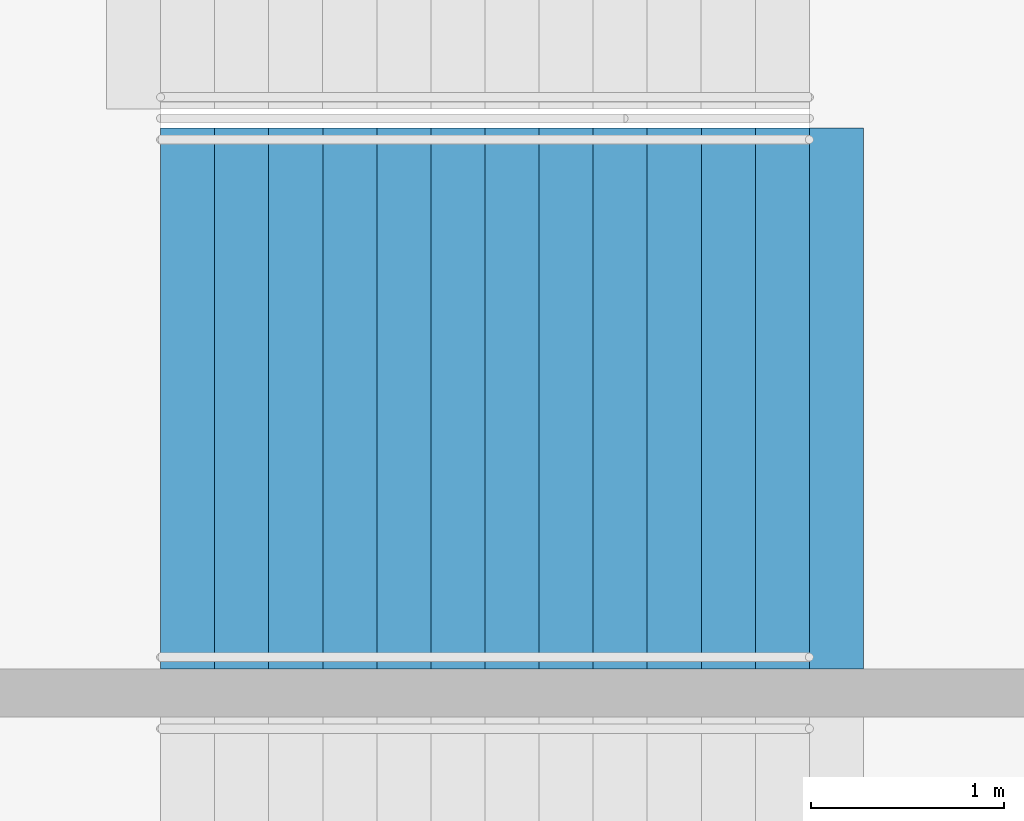
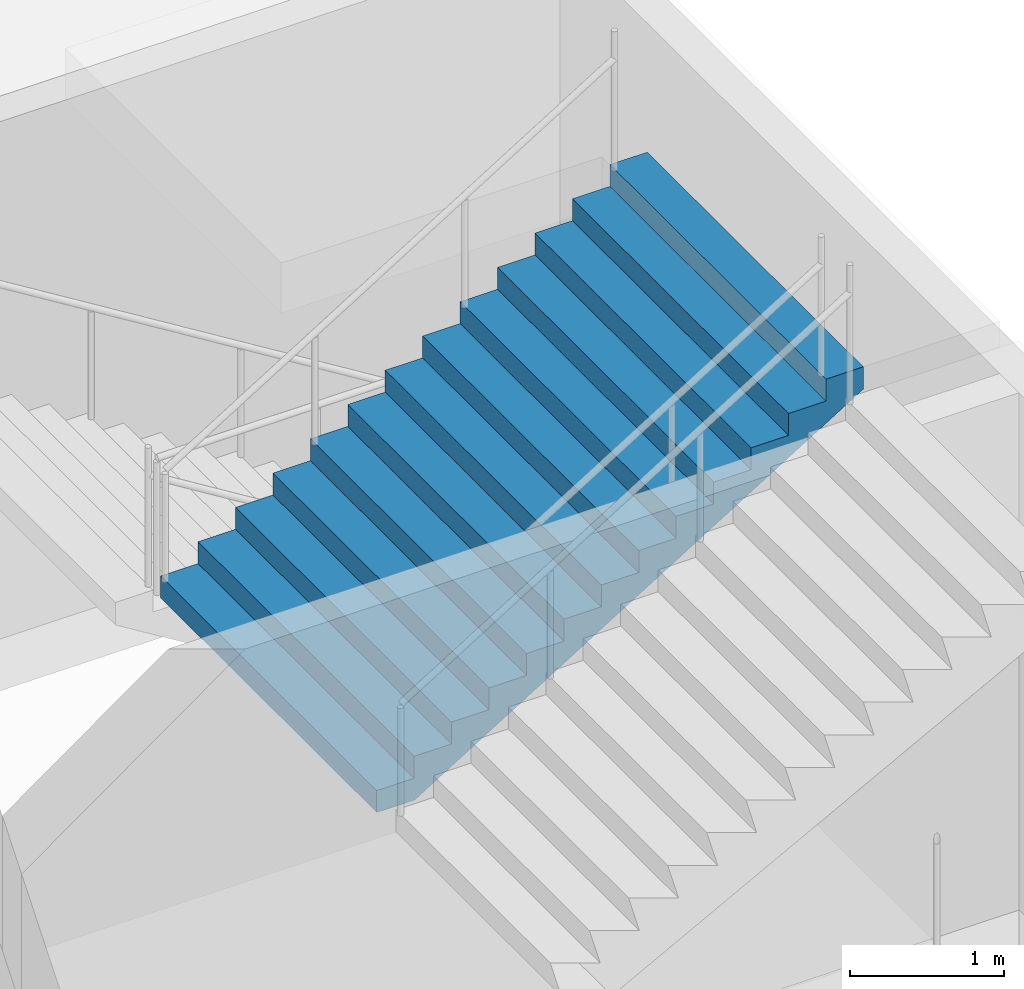
# One storey, part 114 of 177: 1 stair flight, 1 element without a shape of its own.
"""IFC4 building model written with IfcOpenShell, lengths in metres."""

import ifcopenshell
import ifcopenshell.guid

model = None  # the IFC model being written
_history = None  # IfcOwnerHistory: only IFC2X3 demands one
_inside = {}  # id of a spatial element -> (the spatial element, [elements in it])
_under = {}  # id of a project, library or spatial element -> (it, [spatial elements below it])
_declared = {}  # id of a project -> (the project, [libraries it declares])
_typed = {}  # id of a type object -> (the type object, [elements of that type])
_made_of = {}  # id of a material, layer set ... -> (it, [elements and type objects made of it])


def new_model(schema):
    """Start an empty IFC model of exactly this schema.

    Asked for "IFC4X3", IfcOpenShell would pick the latest addendum, in which some entities
    have other attributes; the version numbers below select the first issue.
    IFC2X3 requires an IfcOwnerHistory on every rooted entity: one is made here for all.
    """
    global model, _history
    if schema == "IFC4X3":
        model = ifcopenshell.file(schema_version=(4, 3, 0, 0))
    else:
        model = ifcopenshell.file(schema=schema)
    _inside.clear()
    _under.clear()
    _declared.clear()
    _typed.clear()
    _made_of.clear()
    _history = None
    if model.schema == "IFC2X3":
        org = make("IfcOrganization", Name="unknown")
        user = make(
            "IfcPersonAndOrganization",
            ThePerson=make("IfcPerson", FamilyName="unknown"),
            TheOrganization=org,
        )
        app = make(
            "IfcApplication",
            ApplicationDeveloper=org,
            Version="unknown",
            ApplicationFullName="unknown",
            ApplicationIdentifier="unknown",
        )
        _history = make(
            "IfcOwnerHistory",
            OwningUser=user,
            OwningApplication=app,
            ChangeAction="ADDED",
            CreationDate=0,
        )
    return model


def make(cls, **values):
    """One entity of the class cls with the attributes given. An attribute that is None is left unset."""
    return model.create_entity(
        cls, **{name: value for name, value in values.items() if value is not None}
    )


def rooted(cls, **values):
    """An entity with a GlobalId (a new one), such as an element, a storey or a relation."""
    return make(cls, GlobalId=ifcopenshell.guid.new(), OwnerHistory=_history, **values)


def si_unit(unit_type, name, prefix=None):
    """IfcSIUnit, for example si_unit("LENGTHUNIT", "METRE", prefix="MILLI")."""
    return make("IfcSIUnit", UnitType=unit_type, Prefix=prefix, Name=name)


def assignment(units):
    """IfcUnitAssignment: the units of a project."""
    return None if units is None else make("IfcUnitAssignment", Units=units)


def point(xyz):
    """IfcCartesianPoint."""
    return None if xyz is None else make("IfcCartesianPoint", Coordinates=xyz)


def direction(xyz):
    """IfcDirection."""
    return None if xyz is None else make("IfcDirection", DirectionRatios=xyz)


def frame(location, z_axis=None, x_axis=None):
    """IfcAxis2Placement3D, a coordinate frame: its origin and axes. An axis left out is left unset."""
    return make(
        "IfcAxis2Placement3D",
        Location=point(location),
        Axis=direction(z_axis),
        RefDirection=direction(x_axis),
    )


def origin():
    """The frame at (0, 0, 0) with its axes left unset."""
    return frame((0.0, 0.0, 0.0))


def place(relative_to, where):
    """IfcLocalPlacement: puts the frame where relative to a parent placement (None: the world)."""
    return make(
        "IfcLocalPlacement", PlacementRelTo=relative_to, RelativePlacement=where
    )


def context(
    kind, dimensions, precision=None, world=None, true_north=None, identifier=None
):
    """IfcGeometricRepresentationContext, for example the 3D "Model" context."""
    return make(
        "IfcGeometricRepresentationContext",
        ContextIdentifier=identifier,
        ContextType=kind,
        CoordinateSpaceDimension=dimensions,
        Precision=precision,
        WorldCoordinateSystem=world,
        TrueNorth=true_north,
    )


def subcontext(parent, identifier, kind, view, scale=None):
    """IfcGeometricRepresentationSubContext, for example "Body" below "Model"."""
    return make(
        "IfcGeometricRepresentationSubContext",
        ContextIdentifier=identifier,
        ContextType=kind,
        ParentContext=parent,
        TargetScale=scale,
        TargetView=view,
    )


def project(units=None, contexts=None):
    """IfcProject with its units and contexts."""
    return rooted(
        "IfcProject",
        Name="project",
        RepresentationContexts=contexts,
        UnitsInContext=assignment(units),
    )


def spatial(cls, under=None, at=None, **own):
    """A site, building, storey or space (cls), placed at a placement, below another one or the project."""
    s = rooted(cls, ObjectPlacement=at, **own)
    if under is not None:
        _under.setdefault(under.id(), (under, []))[1].append(s)
    return s


def faces_of(points, faces, orient=None, outer=None):
    """IfcFace entities. A face is a list of loops; a loop is a list of indices into points, from 0.

    orient and outer hold one flag for each loop. By default every Orientation is true, the
    first loop of a face is its IfcFaceOuterBound and the others are IfcFaceBound.
    """
    made = []
    for i, loops in enumerate(faces):
        bounds = []
        for j, loop in enumerate(loops):
            is_outer = j == 0 if outer is None else outer[i][j]
            bounds.append(
                make(
                    "IfcFaceOuterBound" if is_outer else "IfcFaceBound",
                    Bound=make("IfcPolyLoop", Polygon=[points[k] for k in loop]),
                    Orientation=True if orient is None else orient[i][j],
                )
            )
        made.append(make("IfcFace", Bounds=bounds))
    return made


def faceted_brep(points, faces, orient=None, outer=None, voids=None):
    """IfcFacetedBrep: a solid bounded by flat faces; with voids (closed shells), ...WithVoids."""
    shared = [point(p) for p in points]
    hull = make("IfcClosedShell", CfsFaces=faces_of(shared, faces, orient, outer))
    if voids is None:
        return make("IfcFacetedBrep", Outer=hull)
    return make(
        "IfcFacetedBrepWithVoids",
        Outer=hull,
        Voids=[
            make(cls, CfsFaces=faces_of(shared, fs, o, b)) for cls, fs, o, b in voids
        ],
    )


def shape(context_of_items, identifier, shape_type, items):
    """IfcShapeRepresentation: the items that make up one representation, for example the "Body"."""
    return make(
        "IfcShapeRepresentation",
        ContextOfItems=context_of_items,
        RepresentationIdentifier=identifier,
        RepresentationType=shape_type,
        Items=items,
    )


def material(Name=None, Category=None):
    """IfcMaterial."""
    return make("IfcMaterial", Name=Name, Category=Category)


def made_of(thing, what):
    """Note that an element or type object is made of a material, layer set ...; save() writes the relation."""
    if what is not None:
        _made_of.setdefault(what.id(), (what, []))[1].append(thing)
    return thing


def type_object(cls, material=None, **own):
    """A type object (cls), such as IfcWallType, which elements share."""
    return made_of(rooted(cls, **own), material)


def element(
    cls,
    number,
    at=None,
    inside=None,
    cuts=None,
    type_object=None,
    material=None,
    context=None,
    identifier="Body",
    shape_type=None,
    held_by="IfcProductDefinitionShape",
    body=None,
    shapes=None,
    **own,
):
    """One element of the class cls, such as IfcWall. Its Tag is "e" and its number.

    at: its placement. inside: the storey or other place that contains it. cuts: it is an
    opening in that element (IfcRelVoidsElement). A single representation is given by context,
    identifier, shape_type and body (its items); several are given by shapes. held_by: the class
    of the entity that holds the representations. save() writes the other relations.
    """
    e = rooted(cls, Tag="e%d" % number, ObjectPlacement=at, **own)
    if body is not None:
        shapes = [shape(context, identifier, shape_type, body)]
    if shapes is not None:
        e.Representation = make(held_by, Representations=shapes)
    if inside is not None:
        _inside.setdefault(inside.id(), (inside, []))[1].append(e)
    if cuts is not None:
        rooted(
            "IfcRelVoidsElement", RelatingBuildingElement=cuts, RelatedOpeningElement=e
        )
    if type_object is not None:
        _typed.setdefault(type_object.id(), (type_object, []))[1].append(e)
    return made_of(e, material)


def aggregate(whole, parts):
    """IfcRelAggregates: a whole, such as a stair, and the parts it consists of."""
    return rooted("IfcRelAggregates", RelatingObject=whole, RelatedObjects=parts)


def save(model, path):
    """Write the relations noted so far, then the file.

    IfcRelAggregates (storeys below a building ...), IfcRelContainedInSpatialStructure (elements
    in a storey), IfcRelDefinesByType, IfcRelAssociatesMaterial and IfcRelDeclares: one each for
    every whole, place, type object, material and project.
    """
    for whole, parts in _under.values():
        aggregate(whole, parts)
    for where, things in _inside.values():
        rooted(
            "IfcRelContainedInSpatialStructure",
            RelatedElements=things,
            RelatingStructure=where,
        )
    for kind, things in _typed.values():
        rooted("IfcRelDefinesByType", RelatedObjects=things, RelatingType=kind)
    for what, things in _made_of.values():
        rooted("IfcRelAssociatesMaterial", RelatedObjects=things, RelatingMaterial=what)
    for by, libraries in _declared.values():
        rooted("IfcRelDeclares", RelatingContext=by, RelatedDefinitions=libraries)
    model.write(path)


model = new_model("IFC4")

# Units and contexts
model_context = context("Model", 3, precision=1e-05, world=origin(), true_north=direction((0.0, 1.0)))
body_context = subcontext(model_context, "Body", "Model", "MODEL_VIEW")
ifc_project = project(units=[si_unit("LENGTHUNIT", "METRE"), si_unit("AREAUNIT", "SQUARE_METRE"), si_unit("VOLUMEUNIT", "CUBIC_METRE"), si_unit("PLANEANGLEUNIT", "RADIAN"), si_unit("MASSUNIT", "GRAM", prefix="KILO")], contexts=[model_context])

# Site, building, storey
site_placement = place(None, origin())
site = spatial("IfcSite", under=ifc_project, at=site_placement, CompositionType="ELEMENT")
building_placement = place(site_placement, origin())
building = spatial("IfcBuilding", under=site, at=building_placement, Name="Ogive Plaza Stadium", CompositionType="ELEMENT")
storey_placement = place(building_placement, frame((0.0, 0.0, 18.0)))
storey = spatial("IfcBuildingStorey", under=building, at=storey_placement, Name="L04", CompositionType="ELEMENT", Elevation=18.0)

# Stair, stair flight
ifc_material_1 = material(Name="Concrete C40/50", Category="concrete")
stair_type = type_object("IfcStairType", Name="Exit stair", PredefinedType="STRAIGHT_RUN_STAIR", material=ifc_material_1)
stair_placement = place(storey_placement, origin())
stair = element("IfcStair", 1, at=stair_placement, inside=storey, type_object=stair_type, Name="Exit stair ST26A L04 to L05", PredefinedType="STRAIGHT_RUN_STAIR")
ifc_material_2 = material(Name="Concrete C40/50", Category="concrete")
stair_flight_type = type_object("IfcStairFlightType", Name="Exit stair flight", PredefinedType="STRAIGHT", material=ifc_material_2)
stair_flight_placement = place(storey_placement, frame((-79.7099609375, 24.02490234375, 2.25), z_axis=(0.0, 0.0, 1.0), x_axis=(1.0, 0.0, 0.0)))
stair_flight = element("IfcStairFlight", 2, at=stair_flight_placement, type_object=stair_flight_type, Name="ST26A flight 2", NumberOfRisers=13, NumberOfTreads=12, PredefinedType="STRAIGHT", RiserHeight=0.173076923, TreadLength=0.28, context=body_context, shape_type="Brep", body=[
    faceted_brep([(0.28515625, -1.39990234375, 0.0), (3.639892578125, -1.39990234375, 2.07373046875), (3.639892578125, -1.39990234375, 2.25), (3.360107421875, -1.39990234375, 2.25), (3.360107421875, -1.39990234375, 2.076904296875), (3.080078125, -1.39990234375, 2.076904296875), (3.080078125, -1.39990234375, 1.90380859375), (2.800048828125, -1.39990234375, 1.90380859375), (2.800048828125, -1.39990234375, 1.730712890625), (2.52001953125, -1.39990234375, 1.730712890625), (2.52001953125, -1.39990234375, 1.5576171875), (2.239990234375, -1.39990234375, 1.5576171875), (2.239990234375, -1.39990234375, 1.384521484375), (1.9599609375, -1.39990234375, 1.384521484375), (1.9599609375, -1.39990234375, 1.21142578125), (1.679931640625, -1.39990234375, 1.21142578125), (1.679931640625, -1.39990234375, 1.03857421875), (1.39990234375, -1.39990234375, 1.03857421875), (1.39990234375, -1.39990234375, 0.865478515625), (1.1201171875, -1.39990234375, 0.865478515625), (1.1201171875, -1.39990234375, 0.6923828125), (0.840087890625, -1.39990234375, 0.6923828125), (0.840087890625, -1.39990234375, 0.519287109375), (0.56005859375, -1.39990234375, 0.519287109375), (0.56005859375, -1.39990234375, 0.34619140625), (0.280029296875, -1.39990234375, 0.34619140625), (0.280029296875, -1.39990234375, 0.173095703125), (0.0, -1.39990234375, 0.173095703125), (0.0, -1.39990234375, 0.0), (0.0, 1.39990234375, 0.0), (0.0, 1.39990234375, 0.173095703125), (0.280029296875, 1.39990234375, 0.173095703125), (0.280029296875, 1.39990234375, 0.34619140625), (0.56005859375, 1.39990234375, 0.34619140625), (0.56005859375, 1.39990234375, 0.519287109375), (0.840087890625, 1.39990234375, 0.519287109375), (0.840087890625, 1.39990234375, 0.6923828125), (1.1201171875, 1.39990234375, 0.6923828125), (1.1201171875, 1.39990234375, 0.865478515625), (1.39990234375, 1.39990234375, 0.865478515625), (1.39990234375, 1.39990234375, 1.03857421875), (1.679931640625, 1.39990234375, 1.03857421875), (1.679931640625, 1.39990234375, 1.21142578125), (1.9599609375, 1.39990234375, 1.21142578125), (1.9599609375, 1.39990234375, 1.384521484375), (2.239990234375, 1.39990234375, 1.384521484375), (2.239990234375, 1.39990234375, 1.5576171875), (2.52001953125, 1.39990234375, 1.5576171875), (2.52001953125, 1.39990234375, 1.730712890625), (2.800048828125, 1.39990234375, 1.730712890625), (2.800048828125, 1.39990234375, 1.90380859375), (3.080078125, 1.39990234375, 1.90380859375), (3.080078125, 1.39990234375, 2.076904296875), (3.360107421875, 1.39990234375, 2.076904296875), (3.360107421875, 1.39990234375, 2.25), (3.639892578125, 1.39990234375, 2.25), (3.639892578125, 1.39990234375, 2.07373046875), (0.28515625, 1.39990234375, 0.0), (0.28515625, -1.0888671875, 0.0), (3.639892578125, -1.0888671875, 2.07373046875), (0.28515625, -0.77783203125, 0.0), (3.639892578125, -0.77783203125, 2.07373046875), (0.28515625, -0.466796875, 0.0), (3.639892578125, -0.466796875, 2.07373046875), (0.28515625, -0.155517578125, 0.0), (3.639892578125, -0.155517578125, 2.07373046875), (0.28515625, 0.155517578125, 0.0), (3.639892578125, 0.155517578125, 2.07373046875), (0.28515625, 0.466796875, 0.0), (3.639892578125, 0.466796875, 2.07373046875), (0.28515625, 0.77783203125, 0.0), (3.639892578125, 0.77783203125, 2.07373046875), (0.28515625, 1.0888671875, 0.0), (3.639892578125, 1.0888671875, 2.07373046875), (3.639892578125, -1.0888671875, 2.25), (3.639892578125, -0.77783203125, 2.25), (3.639892578125, -0.466796875, 2.25), (3.639892578125, -0.155517578125, 2.25), (3.639892578125, 0.155517578125, 2.25), (3.639892578125, 0.466796875, 2.25), (3.639892578125, 0.77783203125, 2.25), (3.639892578125, 1.0888671875, 2.25), (3.360107421875, -1.0888671875, 2.25), (3.360107421875, -0.77783203125, 2.25), (3.360107421875, -0.466796875, 2.25), (3.360107421875, -0.155517578125, 2.25), (3.360107421875, 0.155517578125, 2.25), (3.360107421875, 0.466796875, 2.25), (3.360107421875, 0.77783203125, 2.25), (3.360107421875, 1.0888671875, 2.25), (3.360107421875, -1.0888671875, 2.076904296875), (3.360107421875, -0.77783203125, 2.076904296875), (3.360107421875, -0.466796875, 2.076904296875), (3.360107421875, -0.155517578125, 2.076904296875), (3.360107421875, 0.155517578125, 2.076904296875), (3.360107421875, 0.466796875, 2.076904296875), (3.360107421875, 0.77783203125, 2.076904296875), (3.360107421875, 1.0888671875, 2.076904296875), (3.080078125, -1.0888671875, 2.076904296875), (3.080078125, -0.77783203125, 2.076904296875), (3.080078125, -0.466796875, 2.076904296875), (3.080078125, -0.155517578125, 2.076904296875), (3.080078125, 0.155517578125, 2.076904296875), (3.080078125, 0.466796875, 2.076904296875), (3.080078125, 0.77783203125, 2.076904296875), (3.080078125, 1.0888671875, 2.076904296875), (3.080078125, -1.0888671875, 1.90380859375), (3.080078125, -0.77783203125, 1.90380859375), (3.080078125, -0.466796875, 1.90380859375), (3.080078125, -0.155517578125, 1.90380859375), (3.080078125, 0.155517578125, 1.90380859375), (3.080078125, 0.466796875, 1.90380859375), (3.080078125, 0.77783203125, 1.90380859375), (3.080078125, 1.0888671875, 1.90380859375), (2.800048828125, -1.0888671875, 1.90380859375), (2.800048828125, -0.77783203125, 1.90380859375), (2.800048828125, -0.466796875, 1.90380859375), (2.800048828125, -0.155517578125, 1.90380859375), (2.800048828125, 0.155517578125, 1.90380859375), (2.800048828125, 0.466796875, 1.90380859375), (2.800048828125, 0.77783203125, 1.90380859375), (2.800048828125, 1.0888671875, 1.90380859375), (2.800048828125, -1.0888671875, 1.730712890625), (2.800048828125, -0.77783203125, 1.730712890625), (2.800048828125, -0.466796875, 1.730712890625), (2.800048828125, -0.155517578125, 1.730712890625), (2.800048828125, 0.155517578125, 1.730712890625), (2.800048828125, 0.466796875, 1.730712890625), (2.800048828125, 0.77783203125, 1.730712890625), (2.800048828125, 1.0888671875, 1.730712890625), (2.52001953125, -1.0888671875, 1.730712890625), (2.52001953125, -0.77783203125, 1.730712890625), (2.52001953125, -0.466796875, 1.730712890625), (2.52001953125, -0.155517578125, 1.730712890625), (2.52001953125, 0.155517578125, 1.730712890625), (2.52001953125, 0.466796875, 1.730712890625), (2.52001953125, 0.77783203125, 1.730712890625), (2.52001953125, 1.0888671875, 1.730712890625), (2.52001953125, -1.0888671875, 1.5576171875), (2.52001953125, -0.77783203125, 1.5576171875), (2.52001953125, -0.466796875, 1.5576171875), (2.52001953125, -0.155517578125, 1.5576171875), (2.52001953125, 0.155517578125, 1.5576171875), (2.52001953125, 0.466796875, 1.5576171875), (2.52001953125, 0.77783203125, 1.5576171875), (2.52001953125, 1.0888671875, 1.5576171875), (2.239990234375, -1.0888671875, 1.5576171875), (2.239990234375, -0.77783203125, 1.5576171875), (2.239990234375, -0.466796875, 1.5576171875), (2.239990234375, -0.155517578125, 1.5576171875), (2.239990234375, 0.155517578125, 1.5576171875), (2.239990234375, 0.466796875, 1.5576171875), (2.239990234375, 0.77783203125, 1.5576171875), (2.239990234375, 1.0888671875, 1.5576171875), (2.239990234375, -1.0888671875, 1.384521484375), (2.239990234375, -0.77783203125, 1.384521484375), (2.239990234375, -0.466796875, 1.384521484375), (2.239990234375, -0.155517578125, 1.384521484375), (2.239990234375, 0.155517578125, 1.384521484375), (2.239990234375, 0.466796875, 1.384521484375), (2.239990234375, 0.77783203125, 1.384521484375), (2.239990234375, 1.0888671875, 1.384521484375), (1.9599609375, -1.0888671875, 1.384521484375), (1.9599609375, -0.77783203125, 1.384521484375), (1.9599609375, -0.466796875, 1.384521484375), (1.9599609375, -0.155517578125, 1.384521484375), (1.9599609375, 0.155517578125, 1.384521484375), (1.9599609375, 0.466796875, 1.384521484375), (1.9599609375, 0.77783203125, 1.384521484375), (1.9599609375, 1.0888671875, 1.384521484375), (1.9599609375, -1.0888671875, 1.21142578125), (1.9599609375, -0.77783203125, 1.21142578125), (1.9599609375, -0.466796875, 1.21142578125), (1.9599609375, -0.155517578125, 1.21142578125), (1.9599609375, 0.155517578125, 1.21142578125), (1.9599609375, 0.466796875, 1.21142578125), (1.9599609375, 0.77783203125, 1.21142578125), (1.9599609375, 1.0888671875, 1.21142578125), (1.679931640625, -1.0888671875, 1.21142578125), (1.679931640625, -0.77783203125, 1.21142578125), (1.679931640625, -0.466796875, 1.21142578125), (1.679931640625, -0.155517578125, 1.21142578125), (1.679931640625, 0.155517578125, 1.21142578125), (1.679931640625, 0.466796875, 1.21142578125), (1.679931640625, 0.77783203125, 1.21142578125), (1.679931640625, 1.0888671875, 1.21142578125), (1.679931640625, -1.0888671875, 1.03857421875), (1.679931640625, -0.77783203125, 1.03857421875), (1.679931640625, -0.466796875, 1.03857421875), (1.679931640625, -0.155517578125, 1.03857421875), (1.679931640625, 0.155517578125, 1.03857421875), (1.679931640625, 0.466796875, 1.03857421875), (1.679931640625, 0.77783203125, 1.03857421875), (1.679931640625, 1.0888671875, 1.03857421875), (1.39990234375, -1.0888671875, 1.03857421875), (1.39990234375, -0.77783203125, 1.03857421875), (1.39990234375, -0.466796875, 1.03857421875), (1.39990234375, -0.155517578125, 1.03857421875), (1.39990234375, 0.155517578125, 1.03857421875), (1.39990234375, 0.466796875, 1.03857421875), (1.39990234375, 0.77783203125, 1.03857421875), (1.39990234375, 1.0888671875, 1.03857421875), (1.39990234375, -1.0888671875, 0.865478515625), (1.39990234375, -0.77783203125, 0.865478515625), (1.39990234375, -0.466796875, 0.865478515625), (1.39990234375, -0.155517578125, 0.865478515625), (1.39990234375, 0.155517578125, 0.865478515625), (1.39990234375, 0.466796875, 0.865478515625), (1.39990234375, 0.77783203125, 0.865478515625), (1.39990234375, 1.0888671875, 0.865478515625), (1.1201171875, -1.0888671875, 0.865478515625), (1.1201171875, -0.77783203125, 0.865478515625), (1.1201171875, -0.466796875, 0.865478515625), (1.1201171875, -0.155517578125, 0.865478515625), (1.1201171875, 0.155517578125, 0.865478515625), (1.1201171875, 0.466796875, 0.865478515625), (1.1201171875, 0.77783203125, 0.865478515625), (1.1201171875, 1.0888671875, 0.865478515625), (1.1201171875, -1.0888671875, 0.6923828125), (1.1201171875, -0.77783203125, 0.6923828125), (1.1201171875, -0.466796875, 0.6923828125), (1.1201171875, -0.155517578125, 0.6923828125), (1.1201171875, 0.155517578125, 0.6923828125), (1.1201171875, 0.466796875, 0.6923828125), (1.1201171875, 0.77783203125, 0.6923828125), (1.1201171875, 1.0888671875, 0.6923828125), (0.840087890625, -1.0888671875, 0.6923828125), (0.840087890625, -0.77783203125, 0.6923828125), (0.840087890625, -0.466796875, 0.6923828125), (0.840087890625, -0.155517578125, 0.6923828125), (0.840087890625, 0.155517578125, 0.6923828125), (0.840087890625, 0.466796875, 0.6923828125), (0.840087890625, 0.77783203125, 0.6923828125), (0.840087890625, 1.0888671875, 0.6923828125), (0.840087890625, -1.0888671875, 0.519287109375), (0.840087890625, -0.77783203125, 0.519287109375), (0.840087890625, -0.466796875, 0.519287109375), (0.840087890625, -0.155517578125, 0.519287109375), (0.840087890625, 0.155517578125, 0.519287109375), (0.840087890625, 0.466796875, 0.519287109375), (0.840087890625, 0.77783203125, 0.519287109375), (0.840087890625, 1.0888671875, 0.519287109375), (0.56005859375, -1.0888671875, 0.519287109375), (0.56005859375, -0.77783203125, 0.519287109375), (0.56005859375, -0.466796875, 0.519287109375), (0.56005859375, -0.155517578125, 0.519287109375), (0.56005859375, 0.155517578125, 0.519287109375), (0.56005859375, 0.466796875, 0.519287109375), (0.56005859375, 0.77783203125, 0.519287109375), (0.56005859375, 1.0888671875, 0.519287109375), (0.56005859375, -1.0888671875, 0.34619140625), (0.56005859375, -0.77783203125, 0.34619140625), (0.56005859375, -0.466796875, 0.34619140625), (0.56005859375, -0.155517578125, 0.34619140625), (0.56005859375, 0.155517578125, 0.34619140625), (0.56005859375, 0.466796875, 0.34619140625), (0.56005859375, 0.77783203125, 0.34619140625), (0.56005859375, 1.0888671875, 0.34619140625), (0.280029296875, -1.0888671875, 0.34619140625), (0.280029296875, -0.77783203125, 0.34619140625), (0.280029296875, -0.466796875, 0.34619140625), (0.280029296875, -0.155517578125, 0.34619140625), (0.280029296875, 0.155517578125, 0.34619140625), (0.280029296875, 0.466796875, 0.34619140625), (0.280029296875, 0.77783203125, 0.34619140625), (0.280029296875, 1.0888671875, 0.34619140625), (0.280029296875, -1.0888671875, 0.173095703125), (0.280029296875, -0.77783203125, 0.173095703125), (0.280029296875, -0.466796875, 0.173095703125), (0.280029296875, -0.155517578125, 0.173095703125), (0.280029296875, 0.155517578125, 0.173095703125), (0.280029296875, 0.466796875, 0.173095703125), (0.280029296875, 0.77783203125, 0.173095703125), (0.280029296875, 1.0888671875, 0.173095703125), (0.0, -1.0888671875, 0.173095703125), (0.0, -0.77783203125, 0.173095703125), (0.0, -0.466796875, 0.173095703125), (0.0, -0.155517578125, 0.173095703125), (0.0, 0.155517578125, 0.173095703125), (0.0, 0.466796875, 0.173095703125), (0.0, 0.77783203125, 0.173095703125), (0.0, 1.0888671875, 0.173095703125), (0.0, -1.0888671875, 0.0), (0.0, -0.77783203125, 0.0), (0.0, -0.466796875, 0.0), (0.0, -0.155517578125, 0.0), (0.0, 0.155517578125, 0.0), (0.0, 0.466796875, 0.0), (0.0, 0.77783203125, 0.0), (0.0, 1.0888671875, 0.0)], [[[0, 1, 2, 3, 4, 5, 6, 7, 8, 9, 10, 11, 12, 13, 14, 15, 16, 17, 18, 19, 20, 21, 22, 23, 24, 25, 26, 27, 28]], [[29, 30, 31, 32, 33, 34, 35, 36, 37, 38, 39, 40, 41, 42, 43, 44, 45, 46, 47, 48, 49, 50, 51, 52, 53, 54, 55, 56, 57]], [[0, 58, 59, 1]], [[58, 60, 61, 59]], [[60, 62, 63, 61]], [[62, 64, 65, 63]], [[64, 66, 67, 65]], [[66, 68, 69, 67]], [[68, 70, 71, 69]], [[70, 72, 73, 71]], [[72, 57, 56, 73]], [[1, 59, 74, 2]], [[59, 61, 75, 74]], [[61, 63, 76, 75]], [[63, 65, 77, 76]], [[65, 67, 78, 77]], [[67, 69, 79, 78]], [[69, 71, 80, 79]], [[71, 73, 81, 80]], [[73, 56, 55, 81]], [[2, 74, 82, 3]], [[74, 75, 83, 82]], [[75, 76, 84, 83]], [[76, 77, 85, 84]], [[77, 78, 86, 85]], [[78, 79, 87, 86]], [[79, 80, 88, 87]], [[80, 81, 89, 88]], [[81, 55, 54, 89]], [[3, 82, 90, 4]], [[82, 83, 91, 90]], [[83, 84, 92, 91]], [[84, 85, 93, 92]], [[85, 86, 94, 93]], [[86, 87, 95, 94]], [[87, 88, 96, 95]], [[88, 89, 97, 96]], [[89, 54, 53, 97]], [[4, 90, 98, 5]], [[90, 91, 99, 98]], [[91, 92, 100, 99]], [[92, 93, 101, 100]], [[93, 94, 102, 101]], [[94, 95, 103, 102]], [[95, 96, 104, 103]], [[96, 97, 105, 104]], [[97, 53, 52, 105]], [[5, 98, 106, 6]], [[98, 99, 107, 106]], [[99, 100, 108, 107]], [[100, 101, 109, 108]], [[101, 102, 110, 109]], [[102, 103, 111, 110]], [[103, 104, 112, 111]], [[104, 105, 113, 112]], [[105, 52, 51, 113]], [[6, 106, 114, 7]], [[106, 107, 115, 114]], [[107, 108, 116, 115]], [[108, 109, 117, 116]], [[109, 110, 118, 117]], [[110, 111, 119, 118]], [[111, 112, 120, 119]], [[112, 113, 121, 120]], [[113, 51, 50, 121]], [[7, 114, 122, 8]], [[114, 115, 123, 122]], [[115, 116, 124, 123]], [[116, 117, 125, 124]], [[117, 118, 126, 125]], [[118, 119, 127, 126]], [[119, 120, 128, 127]], [[120, 121, 129, 128]], [[121, 50, 49, 129]], [[8, 122, 130, 9]], [[122, 123, 131, 130]], [[123, 124, 132, 131]], [[124, 125, 133, 132]], [[125, 126, 134, 133]], [[126, 127, 135, 134]], [[127, 128, 136, 135]], [[128, 129, 137, 136]], [[129, 49, 48, 137]], [[9, 130, 138, 10]], [[130, 131, 139, 138]], [[131, 132, 140, 139]], [[132, 133, 141, 140]], [[133, 134, 142, 141]], [[134, 135, 143, 142]], [[135, 136, 144, 143]], [[136, 137, 145, 144]], [[137, 48, 47, 145]], [[10, 138, 146, 11]], [[138, 139, 147, 146]], [[139, 140, 148, 147]], [[140, 141, 149, 148]], [[141, 142, 150, 149]], [[142, 143, 151, 150]], [[143, 144, 152, 151]], [[144, 145, 153, 152]], [[145, 47, 46, 153]], [[11, 146, 154, 12]], [[146, 147, 155, 154]], [[147, 148, 156, 155]], [[148, 149, 157, 156]], [[149, 150, 158, 157]], [[150, 151, 159, 158]], [[151, 152, 160, 159]], [[152, 153, 161, 160]], [[153, 46, 45, 161]], [[12, 154, 162, 13]], [[154, 155, 163, 162]], [[155, 156, 164, 163]], [[156, 157, 165, 164]], [[157, 158, 166, 165]], [[158, 159, 167, 166]], [[159, 160, 168, 167]], [[160, 161, 169, 168]], [[161, 45, 44, 169]], [[13, 162, 170, 14]], [[162, 163, 171, 170]], [[163, 164, 172, 171]], [[164, 165, 173, 172]], [[165, 166, 174, 173]], [[166, 167, 175, 174]], [[167, 168, 176, 175]], [[168, 169, 177, 176]], [[169, 44, 43, 177]], [[14, 170, 178, 15]], [[170, 171, 179, 178]], [[171, 172, 180, 179]], [[172, 173, 181, 180]], [[173, 174, 182, 181]], [[174, 175, 183, 182]], [[175, 176, 184, 183]], [[176, 177, 185, 184]], [[177, 43, 42, 185]], [[15, 178, 186, 16]], [[178, 179, 187, 186]], [[179, 180, 188, 187]], [[180, 181, 189, 188]], [[181, 182, 190, 189]], [[182, 183, 191, 190]], [[183, 184, 192, 191]], [[184, 185, 193, 192]], [[185, 42, 41, 193]], [[16, 186, 194, 17]], [[186, 187, 195, 194]], [[187, 188, 196, 195]], [[188, 189, 197, 196]], [[189, 190, 198, 197]], [[190, 191, 199, 198]], [[191, 192, 200, 199]], [[192, 193, 201, 200]], [[193, 41, 40, 201]], [[17, 194, 202, 18]], [[194, 195, 203, 202]], [[195, 196, 204, 203]], [[196, 197, 205, 204]], [[197, 198, 206, 205]], [[198, 199, 207, 206]], [[199, 200, 208, 207]], [[200, 201, 209, 208]], [[201, 40, 39, 209]], [[18, 202, 210, 19]], [[202, 203, 211, 210]], [[203, 204, 212, 211]], [[204, 205, 213, 212]], [[205, 206, 214, 213]], [[206, 207, 215, 214]], [[207, 208, 216, 215]], [[208, 209, 217, 216]], [[209, 39, 38, 217]], [[19, 210, 218, 20]], [[210, 211, 219, 218]], [[211, 212, 220, 219]], [[212, 213, 221, 220]], [[213, 214, 222, 221]], [[214, 215, 223, 222]], [[215, 216, 224, 223]], [[216, 217, 225, 224]], [[217, 38, 37, 225]], [[20, 218, 226, 21]], [[218, 219, 227, 226]], [[219, 220, 228, 227]], [[220, 221, 229, 228]], [[221, 222, 230, 229]], [[222, 223, 231, 230]], [[223, 224, 232, 231]], [[224, 225, 233, 232]], [[225, 37, 36, 233]], [[21, 226, 234, 22]], [[226, 227, 235, 234]], [[227, 228, 236, 235]], [[228, 229, 237, 236]], [[229, 230, 238, 237]], [[230, 231, 239, 238]], [[231, 232, 240, 239]], [[232, 233, 241, 240]], [[233, 36, 35, 241]], [[22, 234, 242, 23]], [[234, 235, 243, 242]], [[235, 236, 244, 243]], [[236, 237, 245, 244]], [[237, 238, 246, 245]], [[238, 239, 247, 246]], [[239, 240, 248, 247]], [[240, 241, 249, 248]], [[241, 35, 34, 249]], [[23, 242, 250, 24]], [[242, 243, 251, 250]], [[243, 244, 252, 251]], [[244, 245, 253, 252]], [[245, 246, 254, 253]], [[246, 247, 255, 254]], [[247, 248, 256, 255]], [[248, 249, 257, 256]], [[249, 34, 33, 257]], [[24, 250, 258, 25]], [[250, 251, 259, 258]], [[251, 252, 260, 259]], [[252, 253, 261, 260]], [[253, 254, 262, 261]], [[254, 255, 263, 262]], [[255, 256, 264, 263]], [[256, 257, 265, 264]], [[257, 33, 32, 265]], [[25, 258, 266, 26]], [[258, 259, 267, 266]], [[259, 260, 268, 267]], [[260, 261, 269, 268]], [[261, 262, 270, 269]], [[262, 263, 271, 270]], [[263, 264, 272, 271]], [[264, 265, 273, 272]], [[265, 32, 31, 273]], [[26, 266, 274, 27]], [[266, 267, 275, 274]], [[267, 268, 276, 275]], [[268, 269, 277, 276]], [[269, 270, 278, 277]], [[270, 271, 279, 278]], [[271, 272, 280, 279]], [[272, 273, 281, 280]], [[273, 31, 30, 281]], [[27, 274, 282, 28]], [[274, 275, 283, 282]], [[275, 276, 284, 283]], [[276, 277, 285, 284]], [[277, 278, 286, 285]], [[278, 279, 287, 286]], [[279, 280, 288, 287]], [[280, 281, 289, 288]], [[281, 30, 29, 289]], [[28, 282, 58, 0]], [[282, 283, 60, 58]], [[283, 284, 62, 60]], [[284, 285, 64, 62]], [[285, 286, 66, 64]], [[286, 287, 68, 66]], [[287, 288, 70, 68]], [[288, 289, 72, 70]], [[289, 29, 57, 72]]]),
])
aggregate(stair, [stair_flight])

save(model, "model.ifc")
